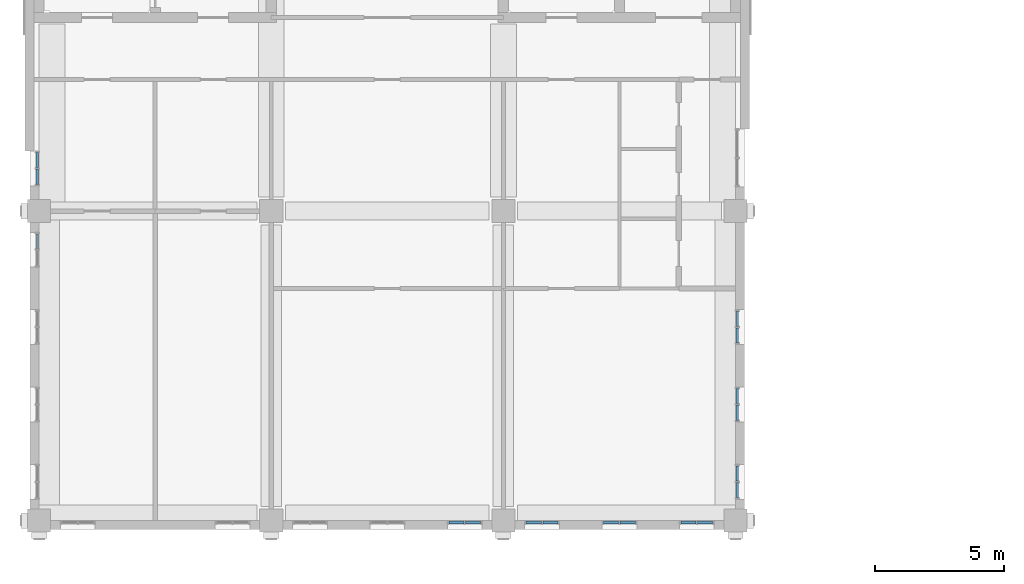
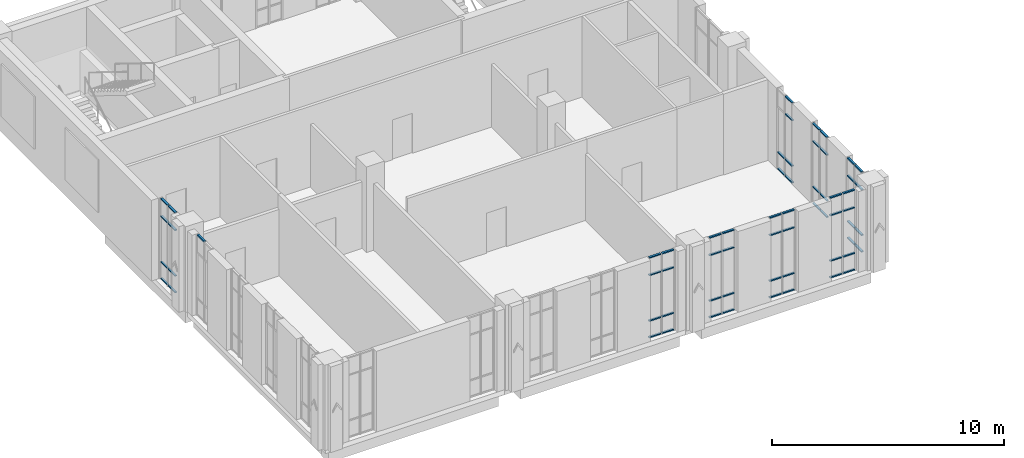
# One storey, part 11 of 25: 63 members, 9 elements without a shape of their own.
"""IFC4 building model written with IfcOpenShell, lengths in metres."""

from ifc_helpers import new_model, si_unit, direction, frame, origin, origin_2d, place, context, subcontext, project, spatial, rectangle, extrude, material, layer, layer_set, material_profile, profile_set, type_object, element, aggregate, save


model = new_model("IFC4")

# Units and contexts
model_context = context("Model", 3, precision=1e-05, world=origin(), true_north=direction((0.0, 1.0)))
body_context = subcontext(model_context, "Body", "Model", "MODEL_VIEW")
ifc_project = project(units=[si_unit("LENGTHUNIT", "METRE"), si_unit("AREAUNIT", "SQUARE_METRE"), si_unit("VOLUMEUNIT", "CUBIC_METRE"), si_unit("PLANEANGLEUNIT", "RADIAN"), si_unit("MASSUNIT", "GRAM", prefix="KILO")], contexts=[model_context])

# Site, building, storey
site_placement = place(None, origin())
site = spatial("IfcSite", under=ifc_project, at=site_placement, CompositionType="ELEMENT")
building_placement = place(site_placement, origin())
building = spatial("IfcBuilding", under=site, at=building_placement, Name="Aurelan Courthouse", CompositionType="ELEMENT")
storey_placement = place(building_placement, frame((0.0, 0.0, 44.39990234375)))
storey = spatial("IfcBuildingStorey", under=building, at=storey_placement, Name="L08", CompositionType="ELEMENT", Elevation=44.39990234375)

# Curtain wall, members
ifc_material_1 = material(Name="Bronze-finished aluminium and glass", Category="aluminium")
ifc_layer = layer(ifc_material_1, 0.14990234375)
ifc_layer_set = layer_set([ifc_layer], Name="Bronze-finished aluminium and glass")
curtain_wall_type = type_object("IfcCurtainWallType", Name="Curtain wall 1350 x 4250", PredefinedType="NOTDEFINED", material=ifc_layer_set)
curtain_wall_1_placement = place(storey_placement, origin())
curtain_wall_1 = element("IfcCurtainWall", 1, at=curtain_wall_1_placement, inside=storey, type_object=curtain_wall_type, Name="Curtain wall CW-V5-L08-S05", PredefinedType="NOTDEFINED")
ifc_material_2 = material(Name="Bronze-finished aluminium", Category="aluminium")
ifc_material_profile = material_profile(ifc_material_2, rectangle(XDim=0.10009765625, YDim=0.06005859375, at=origin_2d()), Name="Bronze transom 60 x 100")
ifc_profile_set = profile_set([ifc_material_profile], Name="Bronze-finished aluminium")
member_type = type_object("IfcMemberType", Name="Curtain wall transom 60 x 100", PredefinedType="USERDEFINED", material=ifc_profile_set)
member_1_placement = place(storey_placement, frame((15.885009765625, -0.074951171875, 0.030029296875), z_axis=(1.0, 0.0, 0.0), x_axis=(0.0, 1.0, 0.0)))
member_1 = element("IfcMember", 2, at=member_1_placement, type_object=member_type, Name="CW-V5-L08-S05 transom 1.1", ObjectType="TRANSOM", PredefinedType="USERDEFINED", context=body_context, shape_type="SweptSolid", body=[
    extrude(rectangle(XDim=0.10009765625, YDim=0.06005859375, at=origin_2d()), origin(), (0.0, 0.0, 1.0), 0.5849609375),
])
member_2_placement = place(storey_placement, frame((15.885009765625, -0.074951171875, 0.900146484375), z_axis=(1.0, 0.0, 0.0), x_axis=(0.0, 1.0, 0.0)))
member_2 = element("IfcMember", 3, at=member_2_placement, type_object=member_type, Name="CW-V5-L08-S05 transom 1.2", ObjectType="TRANSOM", PredefinedType="USERDEFINED", context=body_context, shape_type="SweptSolid", body=[
    extrude(rectangle(XDim=0.10009765625, YDim=0.06005859375, at=origin_2d()), origin(), (0.0, 0.0, 1.0), 0.5849609375),
])
member_3_placement = place(storey_placement, frame((15.885009765625, -0.074951171875, 3.300048828125), z_axis=(1.0, 0.0, 0.0), x_axis=(0.0, 1.0, 0.0)))
member_3 = element("IfcMember", 4, at=member_3_placement, type_object=member_type, Name="CW-V5-L08-S05 transom 1.3", ObjectType="TRANSOM", PredefinedType="USERDEFINED", context=body_context, shape_type="SweptSolid", body=[
    extrude(rectangle(XDim=0.10009765625, YDim=0.06005859375, at=origin_2d()), origin(), (0.0, 0.0, 1.0), 0.5849609375),
])
member_4_placement = place(storey_placement, frame((15.885009765625, -0.074951171875, 4.22021484375), z_axis=(1.0, 0.0, 0.0), x_axis=(0.0, 1.0, 0.0)))
member_4 = element("IfcMember", 5, at=member_4_placement, type_object=member_type, Name="CW-V5-L08-S05 transom 1.4", ObjectType="TRANSOM", PredefinedType="USERDEFINED", context=body_context, shape_type="SweptSolid", body=[
    extrude(rectangle(XDim=0.10009765625, YDim=0.06005859375, at=origin_2d()), origin(), (0.0, 0.0, 1.0), 0.5849609375),
])
member_5_placement = place(storey_placement, frame((16.530029296875, -0.074951171875, 0.030029296875), z_axis=(1.0, 0.0, 0.0), x_axis=(0.0, 1.0, 0.0)))
member_5 = element("IfcMember", 6, at=member_5_placement, type_object=member_type, Name="CW-V5-L08-S05 transom 2.1", ObjectType="TRANSOM", PredefinedType="USERDEFINED", context=body_context, shape_type="SweptSolid", body=[
    extrude(rectangle(XDim=0.10009765625, YDim=0.06005859375, at=origin_2d()), origin(), (0.0, 0.0, 1.0), 0.5849609375),
])
member_6_placement = place(storey_placement, frame((16.530029296875, -0.074951171875, 0.900146484375), z_axis=(1.0, 0.0, 0.0), x_axis=(0.0, 1.0, 0.0)))
member_6 = element("IfcMember", 7, at=member_6_placement, type_object=member_type, Name="CW-V5-L08-S05 transom 2.2", ObjectType="TRANSOM", PredefinedType="USERDEFINED", context=body_context, shape_type="SweptSolid", body=[
    extrude(rectangle(XDim=0.10009765625, YDim=0.06005859375, at=origin_2d()), origin(), (0.0, 0.0, 1.0), 0.5849609375),
])
member_7_placement = place(storey_placement, frame((16.530029296875, -0.074951171875, 3.300048828125), z_axis=(1.0, 0.0, 0.0), x_axis=(0.0, 1.0, 0.0)))
member_7 = element("IfcMember", 8, at=member_7_placement, type_object=member_type, Name="CW-V5-L08-S05 transom 2.3", ObjectType="TRANSOM", PredefinedType="USERDEFINED", context=body_context, shape_type="SweptSolid", body=[
    extrude(rectangle(XDim=0.10009765625, YDim=0.06005859375, at=origin_2d()), origin(), (0.0, 0.0, 1.0), 0.5849609375),
])
member_8_placement = place(storey_placement, frame((16.530029296875, -0.074951171875, 4.22021484375), z_axis=(1.0, 0.0, 0.0), x_axis=(0.0, 1.0, 0.0)))
member_8 = element("IfcMember", 9, at=member_8_placement, type_object=member_type, Name="CW-V5-L08-S05 transom 2.4", ObjectType="TRANSOM", PredefinedType="USERDEFINED", context=body_context, shape_type="SweptSolid", body=[
    extrude(rectangle(XDim=0.10009765625, YDim=0.06005859375, at=origin_2d()), origin(), (0.0, 0.0, 1.0), 0.5849609375),
])
aggregate(curtain_wall_1, [member_1, member_2, member_3, member_4, member_5, member_6, member_7, member_8])

curtain_wall_2_placement = place(storey_placement, origin())
curtain_wall_2 = element("IfcCurtainWall", 10, at=curtain_wall_2_placement, inside=storey, type_object=curtain_wall_type, Name="Curtain wall CW-V5-L08-S06", PredefinedType="NOTDEFINED")
member_9_placement = place(storey_placement, frame((18.885009765625, -0.074951171875, 0.030029296875), z_axis=(1.0, 0.0, 0.0), x_axis=(0.0, 1.0, 0.0)))
member_9 = element("IfcMember", 11, at=member_9_placement, type_object=member_type, Name="CW-V5-L08-S06 transom 1.1", ObjectType="TRANSOM", PredefinedType="USERDEFINED", context=body_context, shape_type="SweptSolid", body=[
    extrude(rectangle(XDim=0.10009765625, YDim=0.06005859375, at=origin_2d()), origin(), (0.0, 0.0, 1.0), 0.5849609375),
])
member_10_placement = place(storey_placement, frame((18.885009765625, -0.074951171875, 0.900146484375), z_axis=(1.0, 0.0, 0.0), x_axis=(0.0, 1.0, 0.0)))
member_10 = element("IfcMember", 12, at=member_10_placement, type_object=member_type, Name="CW-V5-L08-S06 transom 1.2", ObjectType="TRANSOM", PredefinedType="USERDEFINED", context=body_context, shape_type="SweptSolid", body=[
    extrude(rectangle(XDim=0.10009765625, YDim=0.06005859375, at=origin_2d()), origin(), (0.0, 0.0, 1.0), 0.5849609375),
])
member_11_placement = place(storey_placement, frame((18.885009765625, -0.074951171875, 3.300048828125), z_axis=(1.0, 0.0, 0.0), x_axis=(0.0, 1.0, 0.0)))
member_11 = element("IfcMember", 13, at=member_11_placement, type_object=member_type, Name="CW-V5-L08-S06 transom 1.3", ObjectType="TRANSOM", PredefinedType="USERDEFINED", context=body_context, shape_type="SweptSolid", body=[
    extrude(rectangle(XDim=0.10009765625, YDim=0.06005859375, at=origin_2d()), origin(), (0.0, 0.0, 1.0), 0.5849609375),
])
member_12_placement = place(storey_placement, frame((18.885009765625, -0.074951171875, 4.22021484375), z_axis=(1.0, 0.0, 0.0), x_axis=(0.0, 1.0, 0.0)))
member_12 = element("IfcMember", 14, at=member_12_placement, type_object=member_type, Name="CW-V5-L08-S06 transom 1.4", ObjectType="TRANSOM", PredefinedType="USERDEFINED", context=body_context, shape_type="SweptSolid", body=[
    extrude(rectangle(XDim=0.10009765625, YDim=0.06005859375, at=origin_2d()), origin(), (0.0, 0.0, 1.0), 0.5849609375),
])
member_13_placement = place(storey_placement, frame((19.530029296875, -0.074951171875, 0.030029296875), z_axis=(1.0, 0.0, 0.0), x_axis=(0.0, 1.0, 0.0)))
member_13 = element("IfcMember", 15, at=member_13_placement, type_object=member_type, Name="CW-V5-L08-S06 transom 2.1", ObjectType="TRANSOM", PredefinedType="USERDEFINED", context=body_context, shape_type="SweptSolid", body=[
    extrude(rectangle(XDim=0.10009765625, YDim=0.06005859375, at=origin_2d()), origin(), (0.0, 0.0, 1.0), 0.5849609375),
])
member_14_placement = place(storey_placement, frame((19.530029296875, -0.074951171875, 0.900146484375), z_axis=(1.0, 0.0, 0.0), x_axis=(0.0, 1.0, 0.0)))
member_14 = element("IfcMember", 16, at=member_14_placement, type_object=member_type, Name="CW-V5-L08-S06 transom 2.2", ObjectType="TRANSOM", PredefinedType="USERDEFINED", context=body_context, shape_type="SweptSolid", body=[
    extrude(rectangle(XDim=0.10009765625, YDim=0.06005859375, at=origin_2d()), origin(), (0.0, 0.0, 1.0), 0.5849609375),
])
member_15_placement = place(storey_placement, frame((19.530029296875, -0.074951171875, 3.300048828125), z_axis=(1.0, 0.0, 0.0), x_axis=(0.0, 1.0, 0.0)))
member_15 = element("IfcMember", 17, at=member_15_placement, type_object=member_type, Name="CW-V5-L08-S06 transom 2.3", ObjectType="TRANSOM", PredefinedType="USERDEFINED", context=body_context, shape_type="SweptSolid", body=[
    extrude(rectangle(XDim=0.10009765625, YDim=0.06005859375, at=origin_2d()), origin(), (0.0, 0.0, 1.0), 0.5849609375),
])
member_16_placement = place(storey_placement, frame((19.530029296875, -0.074951171875, 4.22021484375), z_axis=(1.0, 0.0, 0.0), x_axis=(0.0, 1.0, 0.0)))
member_16 = element("IfcMember", 18, at=member_16_placement, type_object=member_type, Name="CW-V5-L08-S06 transom 2.4", ObjectType="TRANSOM", PredefinedType="USERDEFINED", context=body_context, shape_type="SweptSolid", body=[
    extrude(rectangle(XDim=0.10009765625, YDim=0.06005859375, at=origin_2d()), origin(), (0.0, 0.0, 1.0), 0.5849609375),
])
aggregate(curtain_wall_2, [member_9, member_10, member_11, member_12, member_13, member_14, member_15, member_16])

curtain_wall_3_placement = place(storey_placement, origin())
curtain_wall_3 = element("IfcCurtainWall", 19, at=curtain_wall_3_placement, inside=storey, type_object=curtain_wall_type, Name="Curtain wall CW-V5-L08-S07", PredefinedType="NOTDEFINED")
member_17_placement = place(storey_placement, frame((21.885009765625, -0.074951171875, 0.030029296875), z_axis=(1.0, 0.0, 0.0), x_axis=(0.0, 1.0, 0.0)))
member_17 = element("IfcMember", 20, at=member_17_placement, type_object=member_type, Name="CW-V5-L08-S07 transom 1.1", ObjectType="TRANSOM", PredefinedType="USERDEFINED", context=body_context, shape_type="SweptSolid", body=[
    extrude(rectangle(XDim=0.10009765625, YDim=0.06005859375, at=origin_2d()), origin(), (0.0, 0.0, 1.0), 0.5849609375),
])
member_18_placement = place(storey_placement, frame((21.885009765625, -0.074951171875, 0.900146484375), z_axis=(1.0, 0.0, 0.0), x_axis=(0.0, 1.0, 0.0)))
member_18 = element("IfcMember", 21, at=member_18_placement, type_object=member_type, Name="CW-V5-L08-S07 transom 1.2", ObjectType="TRANSOM", PredefinedType="USERDEFINED", context=body_context, shape_type="SweptSolid", body=[
    extrude(rectangle(XDim=0.10009765625, YDim=0.06005859375, at=origin_2d()), origin(), (0.0, 0.0, 1.0), 0.5849609375),
])
member_19_placement = place(storey_placement, frame((21.885009765625, -0.074951171875, 3.300048828125), z_axis=(1.0, 0.0, 0.0), x_axis=(0.0, 1.0, 0.0)))
member_19 = element("IfcMember", 22, at=member_19_placement, type_object=member_type, Name="CW-V5-L08-S07 transom 1.3", ObjectType="TRANSOM", PredefinedType="USERDEFINED", context=body_context, shape_type="SweptSolid", body=[
    extrude(rectangle(XDim=0.10009765625, YDim=0.06005859375, at=origin_2d()), origin(), (0.0, 0.0, 1.0), 0.5849609375),
])
member_20_placement = place(storey_placement, frame((21.885009765625, -0.074951171875, 4.22021484375), z_axis=(1.0, 0.0, 0.0), x_axis=(0.0, 1.0, 0.0)))
member_20 = element("IfcMember", 23, at=member_20_placement, type_object=member_type, Name="CW-V5-L08-S07 transom 1.4", ObjectType="TRANSOM", PredefinedType="USERDEFINED", context=body_context, shape_type="SweptSolid", body=[
    extrude(rectangle(XDim=0.10009765625, YDim=0.06005859375, at=origin_2d()), origin(), (0.0, 0.0, 1.0), 0.5849609375),
])
member_21_placement = place(storey_placement, frame((22.530029296875, -0.074951171875, 0.030029296875), z_axis=(1.0, 0.0, 0.0), x_axis=(0.0, 1.0, 0.0)))
member_21 = element("IfcMember", 24, at=member_21_placement, type_object=member_type, Name="CW-V5-L08-S07 transom 2.1", ObjectType="TRANSOM", PredefinedType="USERDEFINED", context=body_context, shape_type="SweptSolid", body=[
    extrude(rectangle(XDim=0.10009765625, YDim=0.06005859375, at=origin_2d()), origin(), (0.0, 0.0, 1.0), 0.5849609375),
])
member_22_placement = place(storey_placement, frame((22.530029296875, -0.074951171875, 0.900146484375), z_axis=(1.0, 0.0, 0.0), x_axis=(0.0, 1.0, 0.0)))
member_22 = element("IfcMember", 25, at=member_22_placement, type_object=member_type, Name="CW-V5-L08-S07 transom 2.2", ObjectType="TRANSOM", PredefinedType="USERDEFINED", context=body_context, shape_type="SweptSolid", body=[
    extrude(rectangle(XDim=0.10009765625, YDim=0.06005859375, at=origin_2d()), origin(), (0.0, 0.0, 1.0), 0.5849609375),
])
member_23_placement = place(storey_placement, frame((22.530029296875, -0.074951171875, 3.300048828125), z_axis=(1.0, 0.0, 0.0), x_axis=(0.0, 1.0, 0.0)))
member_23 = element("IfcMember", 26, at=member_23_placement, type_object=member_type, Name="CW-V5-L08-S07 transom 2.3", ObjectType="TRANSOM", PredefinedType="USERDEFINED", context=body_context, shape_type="SweptSolid", body=[
    extrude(rectangle(XDim=0.10009765625, YDim=0.06005859375, at=origin_2d()), origin(), (0.0, 0.0, 1.0), 0.5849609375),
])
member_24_placement = place(storey_placement, frame((22.530029296875, -0.074951171875, 4.22021484375), z_axis=(1.0, 0.0, 0.0), x_axis=(0.0, 1.0, 0.0)))
member_24 = element("IfcMember", 27, at=member_24_placement, type_object=member_type, Name="CW-V5-L08-S07 transom 2.4", ObjectType="TRANSOM", PredefinedType="USERDEFINED", context=body_context, shape_type="SweptSolid", body=[
    extrude(rectangle(XDim=0.10009765625, YDim=0.06005859375, at=origin_2d()), origin(), (0.0, 0.0, 1.0), 0.5849609375),
])
aggregate(curtain_wall_3, [member_17, member_18, member_19, member_20, member_21, member_22, member_23, member_24])

curtain_wall_4_placement = place(storey_placement, origin())
curtain_wall_4 = element("IfcCurtainWall", 28, at=curtain_wall_4_placement, inside=storey, type_object=curtain_wall_type, Name="Curtain wall CW-V5-L08-S08", PredefinedType="NOTDEFINED")
member_25_placement = place(storey_placement, frame((24.885009765625, -0.074951171875, 0.030029296875), z_axis=(1.0, 0.0, 0.0), x_axis=(0.0, 1.0, 0.0)))
member_25 = element("IfcMember", 29, at=member_25_placement, type_object=member_type, Name="CW-V5-L08-S08 transom 1.1", ObjectType="TRANSOM", PredefinedType="USERDEFINED", context=body_context, shape_type="SweptSolid", body=[
    extrude(rectangle(XDim=0.10009765625, YDim=0.06005859375, at=origin_2d()), origin(), (0.0, 0.0, 1.0), 0.5849609375),
])
member_26_placement = place(storey_placement, frame((24.885009765625, -0.074951171875, 0.900146484375), z_axis=(1.0, 0.0, 0.0), x_axis=(0.0, 1.0, 0.0)))
member_26 = element("IfcMember", 30, at=member_26_placement, type_object=member_type, Name="CW-V5-L08-S08 transom 1.2", ObjectType="TRANSOM", PredefinedType="USERDEFINED", context=body_context, shape_type="SweptSolid", body=[
    extrude(rectangle(XDim=0.10009765625, YDim=0.06005859375, at=origin_2d()), origin(), (0.0, 0.0, 1.0), 0.5849609375),
])
member_27_placement = place(storey_placement, frame((24.885009765625, -0.074951171875, 3.300048828125), z_axis=(1.0, 0.0, 0.0), x_axis=(0.0, 1.0, 0.0)))
member_27 = element("IfcMember", 31, at=member_27_placement, type_object=member_type, Name="CW-V5-L08-S08 transom 1.3", ObjectType="TRANSOM", PredefinedType="USERDEFINED", context=body_context, shape_type="SweptSolid", body=[
    extrude(rectangle(XDim=0.10009765625, YDim=0.06005859375, at=origin_2d()), origin(), (0.0, 0.0, 1.0), 0.5849609375),
])
member_28_placement = place(storey_placement, frame((24.885009765625, -0.074951171875, 4.22021484375), z_axis=(1.0, 0.0, 0.0), x_axis=(0.0, 1.0, 0.0)))
member_28 = element("IfcMember", 32, at=member_28_placement, type_object=member_type, Name="CW-V5-L08-S08 transom 1.4", ObjectType="TRANSOM", PredefinedType="USERDEFINED", context=body_context, shape_type="SweptSolid", body=[
    extrude(rectangle(XDim=0.10009765625, YDim=0.06005859375, at=origin_2d()), origin(), (0.0, 0.0, 1.0), 0.5849609375),
])
member_29_placement = place(storey_placement, frame((25.530029296875, -0.074951171875, 0.030029296875), z_axis=(1.0, 0.0, 0.0), x_axis=(0.0, 1.0, 0.0)))
member_29 = element("IfcMember", 33, at=member_29_placement, type_object=member_type, Name="CW-V5-L08-S08 transom 2.1", ObjectType="TRANSOM", PredefinedType="USERDEFINED", context=body_context, shape_type="SweptSolid", body=[
    extrude(rectangle(XDim=0.10009765625, YDim=0.06005859375, at=origin_2d()), origin(), (0.0, 0.0, 1.0), 0.5849609375),
])
member_30_placement = place(storey_placement, frame((25.530029296875, -0.074951171875, 0.900146484375), z_axis=(1.0, 0.0, 0.0), x_axis=(0.0, 1.0, 0.0)))
member_30 = element("IfcMember", 34, at=member_30_placement, type_object=member_type, Name="CW-V5-L08-S08 transom 2.2", ObjectType="TRANSOM", PredefinedType="USERDEFINED", context=body_context, shape_type="SweptSolid", body=[
    extrude(rectangle(XDim=0.10009765625, YDim=0.06005859375, at=origin_2d()), origin(), (0.0, 0.0, 1.0), 0.5849609375),
])
member_31_placement = place(storey_placement, frame((25.530029296875, -0.074951171875, 3.300048828125), z_axis=(1.0, 0.0, 0.0), x_axis=(0.0, 1.0, 0.0)))
member_31 = element("IfcMember", 35, at=member_31_placement, type_object=member_type, Name="CW-V5-L08-S08 transom 2.3", ObjectType="TRANSOM", PredefinedType="USERDEFINED", context=body_context, shape_type="SweptSolid", body=[
    extrude(rectangle(XDim=0.10009765625, YDim=0.06005859375, at=origin_2d()), origin(), (0.0, 0.0, 1.0), 0.5849609375),
])
member_32_placement = place(storey_placement, frame((25.530029296875, -0.074951171875, 4.22021484375), z_axis=(1.0, 0.0, 0.0), x_axis=(0.0, 1.0, 0.0)))
member_32 = element("IfcMember", 36, at=member_32_placement, type_object=member_type, Name="CW-V5-L08-S08 transom 2.4", ObjectType="TRANSOM", PredefinedType="USERDEFINED", context=body_context, shape_type="SweptSolid", body=[
    extrude(rectangle(XDim=0.10009765625, YDim=0.06005859375, at=origin_2d()), origin(), (0.0, 0.0, 1.0), 0.5849609375),
])
aggregate(curtain_wall_4, [member_25, member_26, member_27, member_28, member_29, member_30, member_31, member_32])

curtain_wall_5_placement = place(storey_placement, origin())
curtain_wall_5 = element("IfcCurtainWall", 37, at=curtain_wall_5_placement, inside=storey, type_object=curtain_wall_type, Name="Curtain wall CW-V5-L08-E01", PredefinedType="NOTDEFINED")
member_33_placement = place(storey_placement, frame((27.074951171875, 0.885009765625, 0.030029296875), z_axis=(0.0, 1.0, 0.0), x_axis=(-1.0, 0.0, 0.0)))
member_33 = element("IfcMember", 38, at=member_33_placement, type_object=member_type, Name="CW-V5-L08-E01 transom 1.1", ObjectType="TRANSOM", PredefinedType="USERDEFINED", context=body_context, shape_type="SweptSolid", body=[
    extrude(rectangle(XDim=0.10009765625, YDim=0.06005859375, at=origin_2d()), origin(), (0.0, 0.0, 1.0), 0.5849609375),
])
member_34_placement = place(storey_placement, frame((27.074951171875, 0.885009765625, 0.900146484375), z_axis=(0.0, 1.0, 0.0), x_axis=(-1.0, 0.0, 0.0)))
member_34 = element("IfcMember", 39, at=member_34_placement, type_object=member_type, Name="CW-V5-L08-E01 transom 1.2", ObjectType="TRANSOM", PredefinedType="USERDEFINED", context=body_context, shape_type="SweptSolid", body=[
    extrude(rectangle(XDim=0.10009765625, YDim=0.06005859375, at=origin_2d()), origin(), (0.0, 0.0, 1.0), 0.5849609375),
])
member_35_placement = place(storey_placement, frame((27.074951171875, 0.885009765625, 3.300048828125), z_axis=(0.0, 1.0, 0.0), x_axis=(-1.0, 0.0, 0.0)))
member_35 = element("IfcMember", 40, at=member_35_placement, type_object=member_type, Name="CW-V5-L08-E01 transom 1.3", ObjectType="TRANSOM", PredefinedType="USERDEFINED", context=body_context, shape_type="SweptSolid", body=[
    extrude(rectangle(XDim=0.10009765625, YDim=0.06005859375, at=origin_2d()), origin(), (0.0, 0.0, 1.0), 0.5849609375),
])
member_36_placement = place(storey_placement, frame((27.074951171875, 0.885009765625, 4.22021484375), z_axis=(0.0, 1.0, 0.0), x_axis=(-1.0, 0.0, 0.0)))
member_36 = element("IfcMember", 41, at=member_36_placement, type_object=member_type, Name="CW-V5-L08-E01 transom 1.4", ObjectType="TRANSOM", PredefinedType="USERDEFINED", context=body_context, shape_type="SweptSolid", body=[
    extrude(rectangle(XDim=0.10009765625, YDim=0.06005859375, at=origin_2d()), origin(), (0.0, 0.0, 1.0), 0.5849609375),
])
member_37_placement = place(storey_placement, frame((27.074951171875, 1.530029296875, 0.030029296875), z_axis=(0.0, 1.0, 0.0), x_axis=(-1.0, 0.0, 0.0)))
member_37 = element("IfcMember", 42, at=member_37_placement, type_object=member_type, Name="CW-V5-L08-E01 transom 2.1", ObjectType="TRANSOM", PredefinedType="USERDEFINED", context=body_context, shape_type="SweptSolid", body=[
    extrude(rectangle(XDim=0.10009765625, YDim=0.06005859375, at=origin_2d()), origin(), (0.0, 0.0, 1.0), 0.5849609375),
])
member_38_placement = place(storey_placement, frame((27.074951171875, 1.530029296875, 0.900146484375), z_axis=(0.0, 1.0, 0.0), x_axis=(-1.0, 0.0, 0.0)))
member_38 = element("IfcMember", 43, at=member_38_placement, type_object=member_type, Name="CW-V5-L08-E01 transom 2.2", ObjectType="TRANSOM", PredefinedType="USERDEFINED", context=body_context, shape_type="SweptSolid", body=[
    extrude(rectangle(XDim=0.10009765625, YDim=0.06005859375, at=origin_2d()), origin(), (0.0, 0.0, 1.0), 0.5849609375),
])
member_39_placement = place(storey_placement, frame((27.074951171875, 1.530029296875, 3.300048828125), z_axis=(0.0, 1.0, 0.0), x_axis=(-1.0, 0.0, 0.0)))
member_39 = element("IfcMember", 44, at=member_39_placement, type_object=member_type, Name="CW-V5-L08-E01 transom 2.3", ObjectType="TRANSOM", PredefinedType="USERDEFINED", context=body_context, shape_type="SweptSolid", body=[
    extrude(rectangle(XDim=0.10009765625, YDim=0.06005859375, at=origin_2d()), origin(), (0.0, 0.0, 1.0), 0.5849609375),
])
member_40_placement = place(storey_placement, frame((27.074951171875, 1.530029296875, 4.22021484375), z_axis=(0.0, 1.0, 0.0), x_axis=(-1.0, 0.0, 0.0)))
member_40 = element("IfcMember", 45, at=member_40_placement, type_object=member_type, Name="CW-V5-L08-E01 transom 2.4", ObjectType="TRANSOM", PredefinedType="USERDEFINED", context=body_context, shape_type="SweptSolid", body=[
    extrude(rectangle(XDim=0.10009765625, YDim=0.06005859375, at=origin_2d()), origin(), (0.0, 0.0, 1.0), 0.5849609375),
])
aggregate(curtain_wall_5, [member_33, member_34, member_35, member_36, member_37, member_38, member_39, member_40])

curtain_wall_6_placement = place(storey_placement, origin())
curtain_wall_6 = element("IfcCurtainWall", 46, at=curtain_wall_6_placement, inside=storey, type_object=curtain_wall_type, Name="Curtain wall CW-V5-L08-E02", PredefinedType="NOTDEFINED")
member_41_placement = place(storey_placement, frame((27.074951171875, 3.885009765625, 0.030029296875), z_axis=(0.0, 1.0, 0.0), x_axis=(-1.0, 0.0, 0.0)))
member_41 = element("IfcMember", 47, at=member_41_placement, type_object=member_type, Name="CW-V5-L08-E02 transom 1.1", ObjectType="TRANSOM", PredefinedType="USERDEFINED", context=body_context, shape_type="SweptSolid", body=[
    extrude(rectangle(XDim=0.10009765625, YDim=0.06005859375, at=origin_2d()), origin(), (0.0, 0.0, 1.0), 0.5849609375),
])
member_42_placement = place(storey_placement, frame((27.074951171875, 3.885009765625, 0.900146484375), z_axis=(0.0, 1.0, 0.0), x_axis=(-1.0, 0.0, 0.0)))
member_42 = element("IfcMember", 48, at=member_42_placement, type_object=member_type, Name="CW-V5-L08-E02 transom 1.2", ObjectType="TRANSOM", PredefinedType="USERDEFINED", context=body_context, shape_type="SweptSolid", body=[
    extrude(rectangle(XDim=0.10009765625, YDim=0.06005859375, at=origin_2d()), origin(), (0.0, 0.0, 1.0), 0.5849609375),
])
member_43_placement = place(storey_placement, frame((27.074951171875, 3.885009765625, 3.300048828125), z_axis=(0.0, 1.0, 0.0), x_axis=(-1.0, 0.0, 0.0)))
member_43 = element("IfcMember", 49, at=member_43_placement, type_object=member_type, Name="CW-V5-L08-E02 transom 1.3", ObjectType="TRANSOM", PredefinedType="USERDEFINED", context=body_context, shape_type="SweptSolid", body=[
    extrude(rectangle(XDim=0.10009765625, YDim=0.06005859375, at=origin_2d()), origin(), (0.0, 0.0, 1.0), 0.5849609375),
])
member_44_placement = place(storey_placement, frame((27.074951171875, 3.885009765625, 4.22021484375), z_axis=(0.0, 1.0, 0.0), x_axis=(-1.0, 0.0, 0.0)))
member_44 = element("IfcMember", 50, at=member_44_placement, type_object=member_type, Name="CW-V5-L08-E02 transom 1.4", ObjectType="TRANSOM", PredefinedType="USERDEFINED", context=body_context, shape_type="SweptSolid", body=[
    extrude(rectangle(XDim=0.10009765625, YDim=0.06005859375, at=origin_2d()), origin(), (0.0, 0.0, 1.0), 0.5849609375),
])
member_45_placement = place(storey_placement, frame((27.074951171875, 4.530029296875, 0.030029296875), z_axis=(0.0, 1.0, 0.0), x_axis=(-1.0, 0.0, 0.0)))
member_45 = element("IfcMember", 51, at=member_45_placement, type_object=member_type, Name="CW-V5-L08-E02 transom 2.1", ObjectType="TRANSOM", PredefinedType="USERDEFINED", context=body_context, shape_type="SweptSolid", body=[
    extrude(rectangle(XDim=0.10009765625, YDim=0.06005859375, at=origin_2d()), origin(), (0.0, 0.0, 1.0), 0.5849609375),
])
member_46_placement = place(storey_placement, frame((27.074951171875, 4.530029296875, 0.900146484375), z_axis=(0.0, 1.0, 0.0), x_axis=(-1.0, 0.0, 0.0)))
member_46 = element("IfcMember", 52, at=member_46_placement, type_object=member_type, Name="CW-V5-L08-E02 transom 2.2", ObjectType="TRANSOM", PredefinedType="USERDEFINED", context=body_context, shape_type="SweptSolid", body=[
    extrude(rectangle(XDim=0.10009765625, YDim=0.06005859375, at=origin_2d()), origin(), (0.0, 0.0, 1.0), 0.5849609375),
])
member_47_placement = place(storey_placement, frame((27.074951171875, 4.530029296875, 3.300048828125), z_axis=(0.0, 1.0, 0.0), x_axis=(-1.0, 0.0, 0.0)))
member_47 = element("IfcMember", 53, at=member_47_placement, type_object=member_type, Name="CW-V5-L08-E02 transom 2.3", ObjectType="TRANSOM", PredefinedType="USERDEFINED", context=body_context, shape_type="SweptSolid", body=[
    extrude(rectangle(XDim=0.10009765625, YDim=0.06005859375, at=origin_2d()), origin(), (0.0, 0.0, 1.0), 0.5849609375),
])
member_48_placement = place(storey_placement, frame((27.074951171875, 4.530029296875, 4.22021484375), z_axis=(0.0, 1.0, 0.0), x_axis=(-1.0, 0.0, 0.0)))
member_48 = element("IfcMember", 54, at=member_48_placement, type_object=member_type, Name="CW-V5-L08-E02 transom 2.4", ObjectType="TRANSOM", PredefinedType="USERDEFINED", context=body_context, shape_type="SweptSolid", body=[
    extrude(rectangle(XDim=0.10009765625, YDim=0.06005859375, at=origin_2d()), origin(), (0.0, 0.0, 1.0), 0.5849609375),
])
aggregate(curtain_wall_6, [member_41, member_42, member_43, member_44, member_45, member_46, member_47, member_48])

curtain_wall_7_placement = place(storey_placement, origin())
curtain_wall_7 = element("IfcCurtainWall", 55, at=curtain_wall_7_placement, inside=storey, type_object=curtain_wall_type, Name="Curtain wall CW-V5-L08-E03", PredefinedType="NOTDEFINED")
member_49_placement = place(storey_placement, frame((27.074951171875, 6.885009765625, 0.030029296875), z_axis=(0.0, 1.0, 0.0), x_axis=(-1.0, 0.0, 0.0)))
member_49 = element("IfcMember", 56, at=member_49_placement, type_object=member_type, Name="CW-V5-L08-E03 transom 1.1", ObjectType="TRANSOM", PredefinedType="USERDEFINED", context=body_context, shape_type="SweptSolid", body=[
    extrude(rectangle(XDim=0.10009765625, YDim=0.06005859375, at=origin_2d()), origin(), (0.0, 0.0, 1.0), 0.5849609375),
])
member_50_placement = place(storey_placement, frame((27.074951171875, 6.885009765625, 0.900146484375), z_axis=(0.0, 1.0, 0.0), x_axis=(-1.0, 0.0, 0.0)))
member_50 = element("IfcMember", 57, at=member_50_placement, type_object=member_type, Name="CW-V5-L08-E03 transom 1.2", ObjectType="TRANSOM", PredefinedType="USERDEFINED", context=body_context, shape_type="SweptSolid", body=[
    extrude(rectangle(XDim=0.10009765625, YDim=0.06005859375, at=origin_2d()), origin(), (0.0, 0.0, 1.0), 0.5849609375),
])
member_51_placement = place(storey_placement, frame((27.074951171875, 6.885009765625, 3.300048828125), z_axis=(0.0, 1.0, 0.0), x_axis=(-1.0, 0.0, 0.0)))
member_51 = element("IfcMember", 58, at=member_51_placement, type_object=member_type, Name="CW-V5-L08-E03 transom 1.3", ObjectType="TRANSOM", PredefinedType="USERDEFINED", context=body_context, shape_type="SweptSolid", body=[
    extrude(rectangle(XDim=0.10009765625, YDim=0.06005859375, at=origin_2d()), origin(), (0.0, 0.0, 1.0), 0.5849609375),
])
member_52_placement = place(storey_placement, frame((27.074951171875, 6.885009765625, 4.22021484375), z_axis=(0.0, 1.0, 0.0), x_axis=(-1.0, 0.0, 0.0)))
member_52 = element("IfcMember", 59, at=member_52_placement, type_object=member_type, Name="CW-V5-L08-E03 transom 1.4", ObjectType="TRANSOM", PredefinedType="USERDEFINED", context=body_context, shape_type="SweptSolid", body=[
    extrude(rectangle(XDim=0.10009765625, YDim=0.06005859375, at=origin_2d()), origin(), (0.0, 0.0, 1.0), 0.5849609375),
])
member_53_placement = place(storey_placement, frame((27.074951171875, 7.530029296875, 0.030029296875), z_axis=(0.0, 1.0, 0.0), x_axis=(-1.0, 0.0, 0.0)))
member_53 = element("IfcMember", 60, at=member_53_placement, type_object=member_type, Name="CW-V5-L08-E03 transom 2.1", ObjectType="TRANSOM", PredefinedType="USERDEFINED", context=body_context, shape_type="SweptSolid", body=[
    extrude(rectangle(XDim=0.10009765625, YDim=0.06005859375, at=origin_2d()), origin(), (0.0, 0.0, 1.0), 0.5849609375),
])
member_54_placement = place(storey_placement, frame((27.074951171875, 7.530029296875, 0.900146484375), z_axis=(0.0, 1.0, 0.0), x_axis=(-1.0, 0.0, 0.0)))
member_54 = element("IfcMember", 61, at=member_54_placement, type_object=member_type, Name="CW-V5-L08-E03 transom 2.2", ObjectType="TRANSOM", PredefinedType="USERDEFINED", context=body_context, shape_type="SweptSolid", body=[
    extrude(rectangle(XDim=0.10009765625, YDim=0.06005859375, at=origin_2d()), origin(), (0.0, 0.0, 1.0), 0.5849609375),
])
aggregate(curtain_wall_7, [member_49, member_50, member_51, member_52, member_53, member_54])

# Curtain wall, member
curtain_wall_8_placement = place(storey_placement, origin())
curtain_wall_8 = element("IfcCurtainWall", 62, at=curtain_wall_8_placement, inside=storey, type_object=curtain_wall_type, Name="Curtain wall CW-V5-L08-W04", PredefinedType="NOTDEFINED")
member_55_placement = place(storey_placement, frame((-0.074951171875, 10.530029296875, 4.22021484375), z_axis=(0.0, 1.0, 0.0), x_axis=(-1.0, 0.0, 0.0)))
member_55 = element("IfcMember", 63, at=member_55_placement, type_object=member_type, Name="CW-V5-L08-W04 transom 2.4", ObjectType="TRANSOM", PredefinedType="USERDEFINED", context=body_context, shape_type="SweptSolid", body=[
    extrude(rectangle(XDim=0.10009765625, YDim=0.06005859375, at=origin_2d()), origin(), (0.0, 0.0, 1.0), 0.5849609375),
])
aggregate(curtain_wall_8, [member_55])

# Curtain wall, members
curtain_wall_9_placement = place(storey_placement, origin())
curtain_wall_9 = element("IfcCurtainWall", 64, at=curtain_wall_9_placement, inside=storey, type_object=curtain_wall_type, Name="Curtain wall CW-V5-L08-W05", PredefinedType="NOTDEFINED")
member_56_placement = place(storey_placement, frame((-0.074951171875, 13.034912109375, 0.030029296875), z_axis=(0.0, 1.0, 0.0), x_axis=(-1.0, 0.0, 0.0)))
member_56 = element("IfcMember", 65, at=member_56_placement, type_object=member_type, Name="CW-V5-L08-W05 transom 1.1", ObjectType="TRANSOM", PredefinedType="USERDEFINED", context=body_context, shape_type="SweptSolid", body=[
    extrude(rectangle(XDim=0.10009765625, YDim=0.06005859375, at=origin_2d()), origin(), (0.0, 0.0, 1.0), 0.585205078125),
])
member_57_placement = place(storey_placement, frame((-0.074951171875, 13.034912109375, 0.900146484375), z_axis=(0.0, 1.0, 0.0), x_axis=(-1.0, 0.0, 0.0)))
member_57 = element("IfcMember", 66, at=member_57_placement, type_object=member_type, Name="CW-V5-L08-W05 transom 1.2", ObjectType="TRANSOM", PredefinedType="USERDEFINED", context=body_context, shape_type="SweptSolid", body=[
    extrude(rectangle(XDim=0.10009765625, YDim=0.06005859375, at=origin_2d()), origin(), (0.0, 0.0, 1.0), 0.585205078125),
])
member_58_placement = place(storey_placement, frame((-0.074951171875, 13.034912109375, 3.300048828125), z_axis=(0.0, 1.0, 0.0), x_axis=(-1.0, 0.0, 0.0)))
member_58 = element("IfcMember", 67, at=member_58_placement, type_object=member_type, Name="CW-V5-L08-W05 transom 1.3", ObjectType="TRANSOM", PredefinedType="USERDEFINED", context=body_context, shape_type="SweptSolid", body=[
    extrude(rectangle(XDim=0.10009765625, YDim=0.06005859375, at=origin_2d()), origin(), (0.0, 0.0, 1.0), 0.585205078125),
])
member_59_placement = place(storey_placement, frame((-0.074951171875, 13.034912109375, 4.22021484375), z_axis=(0.0, 1.0, 0.0), x_axis=(-1.0, 0.0, 0.0)))
member_59 = element("IfcMember", 68, at=member_59_placement, type_object=member_type, Name="CW-V5-L08-W05 transom 1.4", ObjectType="TRANSOM", PredefinedType="USERDEFINED", context=body_context, shape_type="SweptSolid", body=[
    extrude(rectangle(XDim=0.10009765625, YDim=0.06005859375, at=origin_2d()), origin(), (0.0, 0.0, 1.0), 0.585205078125),
])
member_60_placement = place(storey_placement, frame((-0.074951171875, 13.679931640625, 0.030029296875), z_axis=(0.0, 1.0, 0.0), x_axis=(-1.0, 0.0, 0.0)))
member_60 = element("IfcMember", 69, at=member_60_placement, type_object=member_type, Name="CW-V5-L08-W05 transom 2.1", ObjectType="TRANSOM", PredefinedType="USERDEFINED", context=body_context, shape_type="SweptSolid", body=[
    extrude(rectangle(XDim=0.10009765625, YDim=0.06005859375, at=origin_2d()), origin(), (0.0, 0.0, 1.0), 0.5849609375),
])
member_61_placement = place(storey_placement, frame((-0.074951171875, 13.679931640625, 0.900146484375), z_axis=(0.0, 1.0, 0.0), x_axis=(-1.0, 0.0, 0.0)))
member_61 = element("IfcMember", 70, at=member_61_placement, type_object=member_type, Name="CW-V5-L08-W05 transom 2.2", ObjectType="TRANSOM", PredefinedType="USERDEFINED", context=body_context, shape_type="SweptSolid", body=[
    extrude(rectangle(XDim=0.10009765625, YDim=0.06005859375, at=origin_2d()), origin(), (0.0, 0.0, 1.0), 0.5849609375),
])
member_62_placement = place(storey_placement, frame((-0.074951171875, 13.679931640625, 3.300048828125), z_axis=(0.0, 1.0, 0.0), x_axis=(-1.0, 0.0, 0.0)))
member_62 = element("IfcMember", 71, at=member_62_placement, type_object=member_type, Name="CW-V5-L08-W05 transom 2.3", ObjectType="TRANSOM", PredefinedType="USERDEFINED", context=body_context, shape_type="SweptSolid", body=[
    extrude(rectangle(XDim=0.10009765625, YDim=0.06005859375, at=origin_2d()), origin(), (0.0, 0.0, 1.0), 0.5849609375),
])
member_63_placement = place(storey_placement, frame((-0.074951171875, 13.679931640625, 4.22021484375), z_axis=(0.0, 1.0, 0.0), x_axis=(-1.0, 0.0, 0.0)))
member_63 = element("IfcMember", 72, at=member_63_placement, type_object=member_type, Name="CW-V5-L08-W05 transom 2.4", ObjectType="TRANSOM", PredefinedType="USERDEFINED", context=body_context, shape_type="SweptSolid", body=[
    extrude(rectangle(XDim=0.10009765625, YDim=0.06005859375, at=origin_2d()), origin(), (0.0, 0.0, 1.0), 0.5849609375),
])
aggregate(curtain_wall_9, [member_56, member_57, member_58, member_59, member_60, member_61, member_62, member_63])

save(model, "model.ifc")
